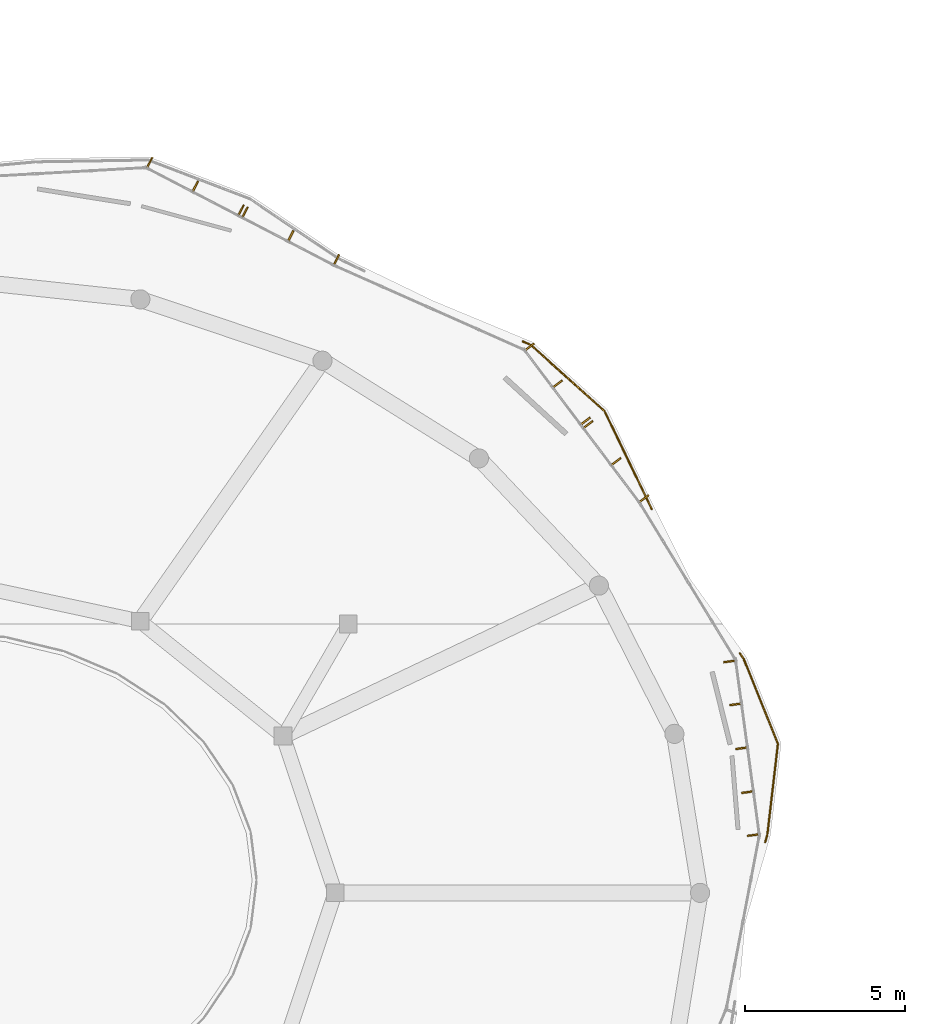
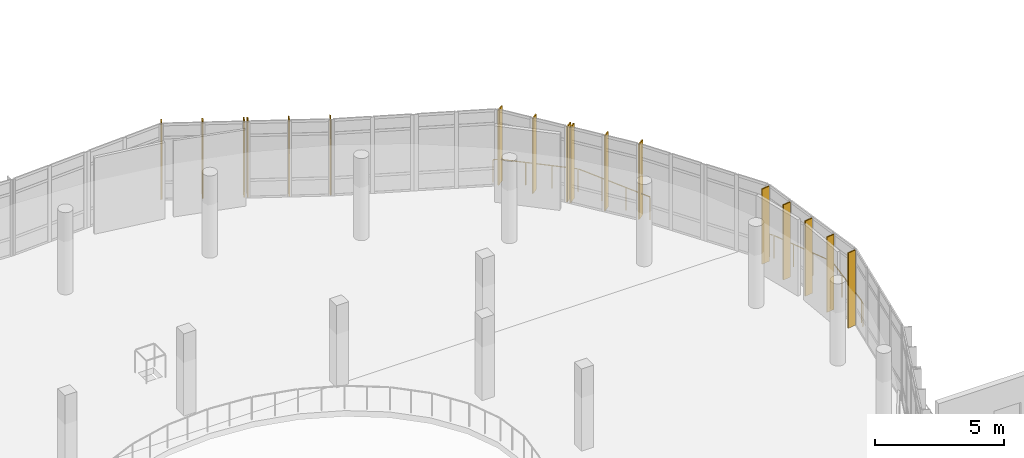
# One storey, part 72 of 74: 17 shading devices, 2 railings.
"""IFC4 building model written with IfcOpenShell, lengths in metres."""

from ifc_helpers import new_model, si_unit, derived_unit, direction, frame, origin, origin_2d, place, context, subcontext, project, spatial, rectangle, circle, extrude, material, type_object, element, save


model = new_model("IFC4")

# Units and contexts
model_context = context("Model", 3, precision=1e-05, world=origin(), true_north=direction((0.0, 1.0)))
body_context = subcontext(model_context, "Body", "Model", "MODEL_VIEW")
ifc_project = project(units=[si_unit("LENGTHUNIT", "METRE"), si_unit("AREAUNIT", "SQUARE_METRE"), si_unit("VOLUMEUNIT", "CUBIC_METRE"), si_unit("PLANEANGLEUNIT", "RADIAN"), si_unit("MASSUNIT", "GRAM", prefix="KILO"), derived_unit("THERMALTRANSMITTANCEUNIT", [(si_unit("POWERUNIT", "WATT"), 1), (si_unit("LENGTHUNIT", "METRE"), -2), (si_unit("THERMODYNAMICTEMPERATUREUNIT", "KELVIN"), -1)])], contexts=[model_context])

# Site, building, storey
site_placement = place(None, origin())
site = spatial("IfcSite", under=ifc_project, at=site_placement, CompositionType="ELEMENT")
building_placement = place(site_placement, origin())
building = spatial("IfcBuilding", under=site, at=building_placement, Name="Elbkamm Science Centre", CompositionType="ELEMENT")
storey_placement = place(building_placement, frame((0.0, 0.0, 14.39990234375)))
storey = spatial("IfcBuildingStorey", under=building, at=storey_placement, Name="L03", CompositionType="ELEMENT", Elevation=14.39990234375)

# Railings
ifc_material_1 = material(Name="Stainless steel EN 1.4401", Category="steel")
railing_type = type_object("IfcRailingType", Name="RAIL-EXT-GUARD-1100", PredefinedType="GUARDRAIL", material=ifc_material_1)
railing_1_placement = place(storey_placement, frame((81.058837890625, 84.430908203125, 0.0)))
element("IfcRailing", 1, at=railing_1_placement, inside=storey, type_object=railing_type, Name="L03 Slab Edge Perimeter Guard 079", PredefinedType="GUARDRAIL", context=body_context, shape_type="SweptSolid", body=[
    extrude(circle(Radius=0.02392578125, at=origin_2d()), frame((0.0, 0.0, 1.078125), z_axis=(0.92332734525, -0.384013819431, 0.0), x_axis=(0.384013819431, 0.92332734525, 0.0)), (0.0, 0.0, 1.0), 0.2294921875),
    extrude(circle(Radius=0.02392578125, at=origin_2d()), frame((0.26171875, -0.11962890625, 1.078125), z_axis=(0.743503900532, -0.668731597799, 0.0), x_axis=(0.668731597799, 0.743503900532, 0.0)), (0.0, 0.0, 1.0), 3.064697265625),
    extrude(circle(Radius=0.02392578125, at=origin_2d()), frame((2.57568359375, -2.21630859375, 1.078125), z_axis=(0.433214384368, -0.901290905966, 0.0), x_axis=(0.901290905966, 0.433214384368, 0.0)), (0.0, 0.0, 1.0), 3.3525390625),
    extrude(circle(Radius=0.02001953125, at=origin_2d()), origin(), (0.0, 0.0, 1.0), 1.048095703125),
    extrude(circle(Radius=0.02001953125, at=origin_2d()), frame((0.239501953125, -0.099609375, 0.0)), (0.0, 0.0, 1.0), 1.048095703125),
    extrude(circle(Radius=0.02001953125, at=origin_2d()), frame((1.013916015625, -0.796142578125, 0.0)), (0.0, 0.0, 1.0), 1.048095703125),
    extrude(circle(Radius=0.02001953125, at=origin_2d()), frame((1.788330078125, -1.49267578125, 0.0)), (0.0, 0.0, 1.0), 1.048095703125),
    extrude(circle(Radius=0.02001953125, at=origin_2d()), frame((2.562744140625, -2.189208984375, 0.0)), (0.0, 0.0, 1.0), 1.048095703125),
    extrude(circle(Radius=0.02001953125, at=origin_2d()), frame((3.05126953125, -3.205322265625, 0.0)), (0.0, 0.0, 1.0), 1.048095703125),
    extrude(circle(Radius=0.02001953125, at=origin_2d()), frame((3.53955078125, -4.2216796875, 0.0)), (0.0, 0.0, 1.0), 1.048095703125),
    extrude(circle(Radius=0.02001953125, at=origin_2d()), frame((4.028076171875, -5.23779296875, 0.0)), (0.0, 0.0, 1.0), 1.048095703125),
])
railing_2_placement = place(storey_placement, frame((87.841796875, 74.684814453125, 0.0)))
element("IfcRailing", 2, at=railing_2_placement, inside=storey, type_object=railing_type, Name="L03 Slab Edge Perimeter Guard 080", PredefinedType="GUARDRAIL", context=body_context, shape_type="SweptSolid", body=[
    extrude(circle(Radius=0.02392578125, at=origin_2d()), frame((0.0, 0.0, 1.078125), z_axis=(0.584704737453, -0.81124618335, 0.0), x_axis=(0.81124618335, 0.584704737453, 0.0)), (0.0, 0.0, 1.0), 0.162841796875),
    extrude(circle(Radius=0.02392578125, at=origin_2d()), frame((0.1240234375, -0.184326171875, 1.078125), z_axis=(0.373593644774, -0.927592469021, 0.0), x_axis=(0.927592469021, 0.373593644774, 0.0)), (0.0, 0.0, 1.0), 2.823974609375),
    extrude(circle(Radius=0.02392578125, at=origin_2d()), frame((1.186767578125, -2.861328125, 1.078125), z_axis=(-0.115793451154, -0.993273314184, 0.0), x_axis=(0.993273314184, -0.115793451154, 0.0)), (0.0, 0.0, 1.0), 2.792724609375),
    extrude(circle(Radius=0.02392578125, at=origin_2d()), frame((0.8515625, -5.69384765625, 1.078125), z_axis=(-0.278105967917, -0.960550399828, 0.0), x_axis=(0.960550399828, -0.278105967917, 0.0)), (0.0, 0.0, 1.0), 0.217529296875),
    extrude(circle(Radius=0.02001953125, at=origin_2d()), origin(), (0.0, 0.0, 1.0), 1.048095703125),
    extrude(circle(Radius=0.02001953125, at=origin_2d()), frame((0.11279296875, -0.156494140625, 0.0)), (0.0, 0.0, 1.0), 1.048095703125),
    extrude(circle(Radius=0.02001953125, at=origin_2d()), frame((0.471923828125, -1.048095703125, 0.0)), (0.0, 0.0, 1.0), 1.048095703125),
    extrude(circle(Radius=0.02001953125, at=origin_2d()), frame((0.8310546875, -1.93994140625, 0.0)), (0.0, 0.0, 1.0), 1.048095703125),
    extrude(circle(Radius=0.02001953125, at=origin_2d()), frame((1.190185546875, -2.83154296875, 0.0)), (0.0, 0.0, 1.0), 1.048095703125),
    extrude(circle(Radius=0.02001953125, at=origin_2d()), frame((1.080078125, -3.776123046875, 0.0)), (0.0, 0.0, 1.0), 1.048095703125),
    extrude(circle(Radius=0.02001953125, at=origin_2d()), frame((0.969970703125, -4.720458984375, 0.0)), (0.0, 0.0, 1.0), 1.048095703125),
    extrude(circle(Radius=0.02001953125, at=origin_2d()), frame((0.85986328125, -5.6650390625, 0.0)), (0.0, 0.0, 1.0), 1.048095703125),
    extrude(circle(Radius=0.02001953125, at=origin_2d()), frame((0.791015625, -5.90283203125, 0.0)), (0.0, 0.0, 1.0), 1.048095703125),
])

# Shading devices
ifc_material_2 = material(Name="Terracotta-ochre powder-coated aluminium EN AW-6060", Category="masonry")
shading_device_type = type_object("IfcShadingDeviceType", Name="SHD-LOUVRE-420", PredefinedType="USERDEFINED", material=ifc_material_2)
for number, where, z_axis, x_axis, name in (
    (3, (88.252685546875, 69.00341796875, 0.0), (0.0, 0.0, 1.0), (-0.990903281357, -0.134575952514, 0.0), "L03 Brise-Soleil Sunshade Fin 0072"),
    (4, (88.070556640625, 70.34521484375, 0.0), (0.0, 0.0, 1.0), (-0.990903281357, -0.134575952514, 0.0), "L03 Brise-Soleil Sunshade Fin 0073"),
    (5, (87.88427734375, 71.716796875, 0.0), (0.0, 0.0, 1.0), (-0.990903281357, -0.134575952514, 0.0), "L03 Brise-Soleil Sunshade Fin 0074"),
    (6, (87.697998046875, 73.08837890625, 0.0), (0.0, 0.0, 1.0), (-0.990903281357, -0.134575952514, 0.0), "L03 Brise-Soleil Sunshade Fin 0075"),
    (7, (87.515625, 74.430419921875, 0.0), (0.0, 0.0, 1.0), (-0.990903281357, -0.134575952514, 0.0), "L03 Brise-Soleil Sunshade Fin 0076"),
    (8, (84.850830078125, 79.523681640625, 0.0), (0.0, 0.0, 1.0), (0.798586140188, 0.601880533577, 0.0), "L03 Brise-Soleil Sunshade Fin 0077"),
    (9, (83.97900390625, 80.6806640625, 0.0), (0.0, 0.0, 1.0), (0.798586140188, 0.601880533577, 0.0), "L03 Brise-Soleil Sunshade Fin 0078"),
    (10, (83.10693359375, 81.83740234375, 0.0), (0.0, 0.0, 1.0), (0.798586140188, 0.601880533577, 0.0), "L03 Brise-Soleil Sunshade Fin 0079"),
    (11, (83.022705078125, 81.94921875, 0.0), (0.0, 0.0, 1.0), (0.798586140188, 0.601880533577, 0.0), "L03 Brise-Soleil Sunshade Fin 0080"),
    (12, (82.15087890625, 83.106201171875, 0.0), (0.0, 0.0, 1.0), (0.798586140188, 0.601880533577, 0.0), "L03 Brise-Soleil Sunshade Fin 0081"),
    (13, (81.27880859375, 84.262939453125, 0.0), (0.0, 0.0, 1.0), (0.798586140188, 0.601880533577, 0.0), "L03 Brise-Soleil Sunshade Fin 0082"),
    (14, (75.241455078125, 86.9892578125, 0.0), (0.0, 0.0, 1.0), (0.461070399213, 0.887363559636, 0.0), "L03 Brise-Soleil Sunshade Fin 0083"),
    (15, (73.8125, 87.731689453125, 0.0), (0.0, 0.0, 1.0), (0.461070399213, 0.887363559636, 0.0), "L03 Brise-Soleil Sunshade Fin 0084"),
    (16, (72.38330078125, 88.47412109375, 0.0), (0.0, 0.0, 1.0), (0.461070399213, 0.887363559636, 0.0), "L03 Brise-Soleil Sunshade Fin 0085"),
    (17, (72.25927734375, 88.538818359375, 0.0), (0.0, 0.0, 1.0), (0.461070399213, 0.887363559636, 0.0), "L03 Brise-Soleil Sunshade Fin 0086"),
    (18, (70.830322265625, 89.28125, 0.0), (0.0, 0.0, 1.0), (0.461070399213, 0.887363559636, 0.0), "L03 Brise-Soleil Sunshade Fin 0087"),
    (19, (69.401123046875, 90.023681640625, 0.0), (0.0, 0.0, 1.0), (0.461070399213, 0.887363559636, 0.0), "L03 Brise-Soleil Sunshade Fin 0088"),
):
    element("IfcShadingDevice", number, at=place(storey_placement, frame(where, z_axis=z_axis, x_axis=x_axis)), inside=storey, type_object=shading_device_type, Name=name, ObjectType="LOUVRE", PredefinedType="USERDEFINED", context=body_context, shape_type="SweptSolid", body=[
        extrude(rectangle(XDim=0.35009765625, YDim=0.050048828125, at=origin_2d()), origin(), (0.0, 0.0, 1.0), 3.570068359375),
    ])

save(model, "model.ifc")
